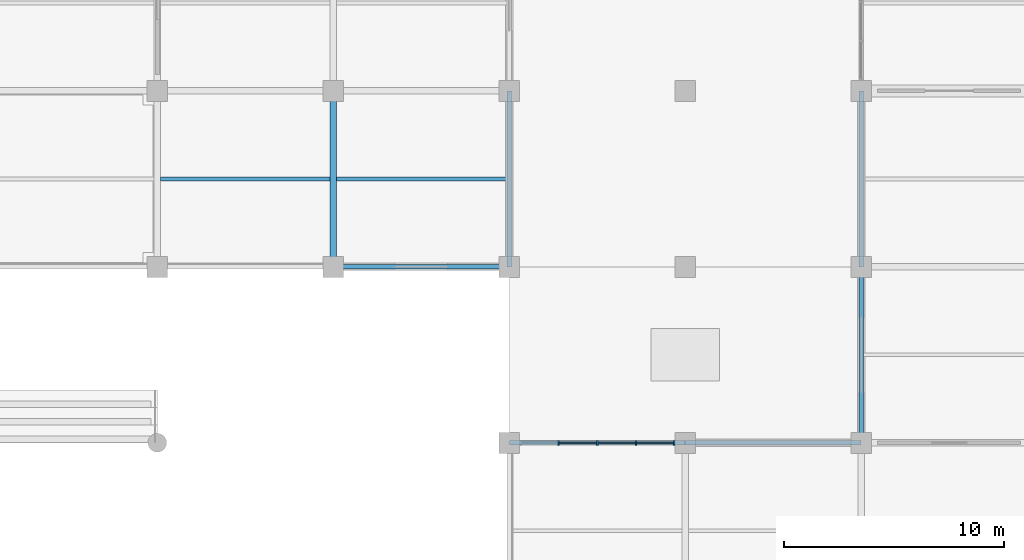
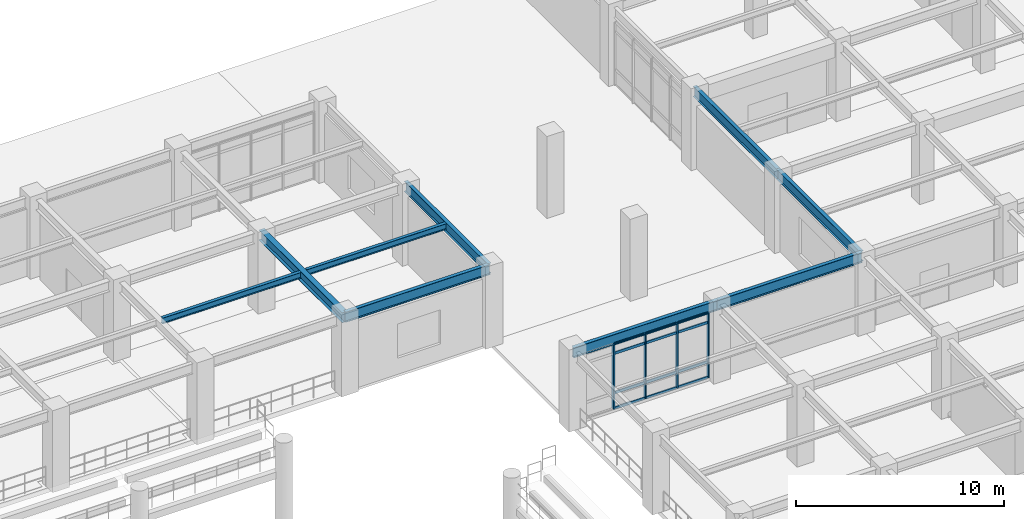
# One storey, part 45 of 109: 16 members, 9 beams, 1 element without a shape of its own.
"""IFC4 building model written with IfcOpenShell, lengths in metres."""

from ifc_helpers import new_model, si_unit, direction, frame, origin, origin_2d, place, context, subcontext, project, spatial, rectangle, i_section, extrude, material, layer, layer_set, material_profile, profile_set, type_object, element, aggregate, save


model = new_model("IFC4")

# Units and contexts
model_context = context("Model", 3, precision=1e-05, world=origin(), true_north=direction((0.0, 1.0)))
body_context = subcontext(model_context, "Body", "Model", "MODEL_VIEW")
ifc_project = project(units=[si_unit("LENGTHUNIT", "METRE"), si_unit("AREAUNIT", "SQUARE_METRE"), si_unit("VOLUMEUNIT", "CUBIC_METRE"), si_unit("PLANEANGLEUNIT", "RADIAN"), si_unit("MASSUNIT", "GRAM", prefix="KILO")], contexts=[model_context])

# Site, building, storey
site_placement = place(None, origin())
site = spatial("IfcSite", under=ifc_project, at=site_placement, CompositionType="ELEMENT")
building_placement = place(site_placement, origin())
building = spatial("IfcBuilding", under=site, at=building_placement, Name="Haebicheon Civic Stadium", CompositionType="ELEMENT")
storey_placement = place(building_placement, frame((0.0, 0.0, 9.60009765625)))
storey = spatial("IfcBuildingStorey", under=building, at=storey_placement, Name="L03", CompositionType="ELEMENT", Elevation=9.60009765625)

# Beam
ifc_material_1 = material(Name="Steel SM355 (S355)", Category="steel")
ifc_material_profile_1 = material_profile(ifc_material_1, i_section(OverallWidth=0.300048828125, OverallDepth=0.60009765625, WebThickness=0.011962890625, FlangeThickness=0.02001953125, at=origin_2d()), Name="H-600x300x12x20")
ifc_profile_set_1 = profile_set([ifc_material_profile_1], Name="Steel SM355 (S355)")
beam_type_1 = type_object("IfcBeamType", Name="BM-ST-H600A", PredefinedType="BEAM", material=ifc_profile_set_1)
beam_1_placement = place(storey_placement, frame((136.0, 152.0, 4.239990234375), z_axis=(0.0, 1.0, 0.0), x_axis=(-1.0, 0.0, 0.0)))
element("IfcBeam", 1, at=beam_1_placement, inside=storey, type_object=beam_type_1, material=ifc_profile_set_1, Name="L03 girder 18/V-W", PredefinedType="BEAM", context=body_context, shape_type="SweptSolid", body=[
    extrude(i_section(OverallWidth=0.300048828125, OverallDepth=0.60009765625, WebThickness=0.011962890625, FlangeThickness=0.02001953125, at=origin_2d()), origin(), (0.0, 0.0, 1.0), 8.0),
])

# Curtain wall, members
ifc_material_2 = material(Name="Anodised aluminium and laminated glass", Category="aluminium")
ifc_layer = layer(ifc_material_2, 0.179931640625, Name="Anodised aluminium and laminated glass")
ifc_layer_set = layer_set([ifc_layer], Name="Anodised aluminium and laminated glass")
curtain_wall_type = type_object("IfcCurtainWallType", Name="CW-7050x3770", PredefinedType="NOTDEFINED", material=ifc_layer_set)
curtain_wall_placement = place(storey_placement, origin())
curtain_wall = element("IfcCurtainWall", 2, at=curtain_wall_placement, inside=storey, type_object=curtain_wall_type, material=ifc_layer_set, Name="L03 unitised curtain wall 084", PredefinedType="NOTDEFINED")
ifc_material_3 = material(Name="Anodised aluminium 6063-T6", Category="aluminium")
ifc_material_profile_2 = material_profile(ifc_material_3, rectangle(XDim=0.070068359375, YDim=0.199951171875, at=origin_2d()), Name="ALU-MULL-70x200")
ifc_profile_set_2 = profile_set([ifc_material_profile_2], Name="Anodised aluminium 6063-T6")
member_type_1 = type_object("IfcMemberType", Name="CWM-200x70", PredefinedType="MULLION", material=ifc_profile_set_2)
member_1_placement = place(storey_placement, frame((146.237060546875, 144.0, 0.159912109375), z_axis=(0.0, 0.0, 1.0), x_axis=(1.0, 0.0, 0.0)))
member_1 = element("IfcMember", 3, at=member_1_placement, type_object=member_type_1, material=ifc_profile_set_2, Name="CW-L03-084 vertical mullion 2", PredefinedType="MULLION", context=body_context, shape_type="SweptSolid", body=[
    extrude(rectangle(XDim=0.070068359375, YDim=0.199951171875, at=origin_2d()), origin(), (0.0, 0.0, 1.0), 3.77001953125),
])
member_2_placement = place(storey_placement, frame((148.0, 144.0, 0.159912109375), z_axis=(0.0, 0.0, 1.0), x_axis=(1.0, 0.0, 0.0)))
member_2 = element("IfcMember", 4, at=member_2_placement, type_object=member_type_1, material=ifc_profile_set_2, Name="CW-L03-084 vertical mullion 3", PredefinedType="MULLION", context=body_context, shape_type="SweptSolid", body=[
    extrude(rectangle(XDim=0.070068359375, YDim=0.199951171875, at=origin_2d()), origin(), (0.0, 0.0, 1.0), 3.77001953125),
])
member_3_placement = place(storey_placement, frame((149.762939453125, 144.0, 0.159912109375), z_axis=(0.0, 0.0, 1.0), x_axis=(1.0, 0.0, 0.0)))
member_3 = element("IfcMember", 5, at=member_3_placement, type_object=member_type_1, material=ifc_profile_set_2, Name="CW-L03-084 vertical mullion 4", PredefinedType="MULLION", context=body_context, shape_type="SweptSolid", body=[
    extrude(rectangle(XDim=0.070068359375, YDim=0.199951171875, at=origin_2d()), origin(), (0.0, 0.0, 1.0), 3.77001953125),
])
member_4_placement = place(storey_placement, frame((151.489990234375, 144.0, 0.159912109375), z_axis=(0.0, 0.0, 1.0), x_axis=(1.0, 0.0, 0.0)))
member_4 = element("IfcMember", 6, at=member_4_placement, type_object=member_type_1, material=ifc_profile_set_2, Name="CW-L03-084 vertical mullion 5", PredefinedType="MULLION", context=body_context, shape_type="SweptSolid", body=[
    extrude(rectangle(XDim=0.070068359375, YDim=0.199951171875, at=origin_2d()), origin(), (0.0, 0.0, 1.0), 3.77001953125),
])
ifc_material_4 = material(Name="Anodised aluminium 6063-T6", Category="aluminium")
ifc_material_profile_3 = material_profile(ifc_material_4, rectangle(XDim=0.070068359375, YDim=0.14990234375, at=origin_2d()), Name="ALU-TRAN-70x150")
ifc_profile_set_3 = profile_set([ifc_material_profile_3], Name="Anodised aluminium 6063-T6")
member_type_2 = type_object("IfcMemberType", Name="CWT-150x70", PredefinedType="NOTDEFINED", material=ifc_profile_set_3)
member_5_placement = place(storey_placement, frame((146.27197265625, 144.0, 0.159912109375), z_axis=(1.0, 0.0, 0.0), x_axis=(0.0, 1.0, 0.0)))
member_5 = element("IfcMember", 7, at=member_5_placement, type_object=member_type_2, material=ifc_profile_set_3, Name="CW-L03-084 horizontal transom 2.1", ObjectType="TRANSOM", PredefinedType="USERDEFINED", context=body_context, shape_type="SweptSolid", body=[
    extrude(rectangle(XDim=0.070068359375, YDim=0.14990234375, at=origin_2d()), origin(), (0.0, 0.0, 1.0), 1.693115234375),
])
member_6_placement = place(storey_placement, frame((146.27197265625, 144.0, 1.059814453125), z_axis=(1.0, 0.0, 0.0), x_axis=(0.0, 1.0, 0.0)))
member_6 = element("IfcMember", 8, at=member_6_placement, type_object=member_type_2, material=ifc_profile_set_3, Name="CW-L03-084 horizontal transom 2.2", ObjectType="TRANSOM", PredefinedType="USERDEFINED", context=body_context, shape_type="SweptSolid", body=[
    extrude(rectangle(XDim=0.070068359375, YDim=0.14990234375, at=origin_2d()), origin(), (0.0, 0.0, 1.0), 1.693115234375),
])
member_7_placement = place(storey_placement, frame((146.27197265625, 144.0, 3.3798828125), z_axis=(1.0, 0.0, 0.0), x_axis=(0.0, 1.0, 0.0)))
member_7 = element("IfcMember", 9, at=member_7_placement, type_object=member_type_2, material=ifc_profile_set_3, Name="CW-L03-084 horizontal transom 2.3", ObjectType="TRANSOM", PredefinedType="USERDEFINED", context=body_context, shape_type="SweptSolid", body=[
    extrude(rectangle(XDim=0.070068359375, YDim=0.14990234375, at=origin_2d()), origin(), (0.0, 0.0, 1.0), 1.693115234375),
])
member_8_placement = place(storey_placement, frame((146.27197265625, 144.0, 3.929931640625), z_axis=(1.0, 0.0, 0.0), x_axis=(0.0, 1.0, 0.0)))
member_8 = element("IfcMember", 10, at=member_8_placement, type_object=member_type_2, material=ifc_profile_set_3, Name="CW-L03-084 horizontal transom 2.4", ObjectType="TRANSOM", PredefinedType="USERDEFINED", context=body_context, shape_type="SweptSolid", body=[
    extrude(rectangle(XDim=0.070068359375, YDim=0.14990234375, at=origin_2d()), origin(), (0.0, 0.0, 1.0), 1.693115234375),
])
member_9_placement = place(storey_placement, frame((148.034912109375, 144.0, 0.159912109375), z_axis=(1.0, 0.0, 0.0), x_axis=(0.0, 1.0, 0.0)))
member_9 = element("IfcMember", 11, at=member_9_placement, type_object=member_type_2, material=ifc_profile_set_3, Name="CW-L03-084 horizontal transom 3.1", ObjectType="TRANSOM", PredefinedType="USERDEFINED", context=body_context, shape_type="SweptSolid", body=[
    extrude(rectangle(XDim=0.070068359375, YDim=0.14990234375, at=origin_2d()), origin(), (0.0, 0.0, 1.0), 1.693115234375),
])
member_10_placement = place(storey_placement, frame((148.034912109375, 144.0, 1.059814453125), z_axis=(1.0, 0.0, 0.0), x_axis=(0.0, 1.0, 0.0)))
member_10 = element("IfcMember", 12, at=member_10_placement, type_object=member_type_2, material=ifc_profile_set_3, Name="CW-L03-084 horizontal transom 3.2", ObjectType="TRANSOM", PredefinedType="USERDEFINED", context=body_context, shape_type="SweptSolid", body=[
    extrude(rectangle(XDim=0.070068359375, YDim=0.14990234375, at=origin_2d()), origin(), (0.0, 0.0, 1.0), 1.693115234375),
])
member_11_placement = place(storey_placement, frame((148.034912109375, 144.0, 3.3798828125), z_axis=(1.0, 0.0, 0.0), x_axis=(0.0, 1.0, 0.0)))
member_11 = element("IfcMember", 13, at=member_11_placement, type_object=member_type_2, material=ifc_profile_set_3, Name="CW-L03-084 horizontal transom 3.3", ObjectType="TRANSOM", PredefinedType="USERDEFINED", context=body_context, shape_type="SweptSolid", body=[
    extrude(rectangle(XDim=0.070068359375, YDim=0.14990234375, at=origin_2d()), origin(), (0.0, 0.0, 1.0), 1.693115234375),
])
member_12_placement = place(storey_placement, frame((148.034912109375, 144.0, 3.929931640625), z_axis=(1.0, 0.0, 0.0), x_axis=(0.0, 1.0, 0.0)))
member_12 = element("IfcMember", 14, at=member_12_placement, type_object=member_type_2, material=ifc_profile_set_3, Name="CW-L03-084 horizontal transom 3.4", ObjectType="TRANSOM", PredefinedType="USERDEFINED", context=body_context, shape_type="SweptSolid", body=[
    extrude(rectangle(XDim=0.070068359375, YDim=0.14990234375, at=origin_2d()), origin(), (0.0, 0.0, 1.0), 1.693115234375),
])
member_13_placement = place(storey_placement, frame((149.798095703125, 144.0, 0.159912109375), z_axis=(1.0, 0.0, 0.0), x_axis=(0.0, 1.0, 0.0)))
member_13 = element("IfcMember", 15, at=member_13_placement, type_object=member_type_2, material=ifc_profile_set_3, Name="CW-L03-084 horizontal transom 4.1", ObjectType="TRANSOM", PredefinedType="USERDEFINED", context=body_context, shape_type="SweptSolid", body=[
    extrude(rectangle(XDim=0.070068359375, YDim=0.14990234375, at=origin_2d()), origin(), (0.0, 0.0, 1.0), 1.656982421875),
])
member_14_placement = place(storey_placement, frame((149.798095703125, 144.0, 1.059814453125), z_axis=(1.0, 0.0, 0.0), x_axis=(0.0, 1.0, 0.0)))
member_14 = element("IfcMember", 16, at=member_14_placement, type_object=member_type_2, material=ifc_profile_set_3, Name="CW-L03-084 horizontal transom 4.2", ObjectType="TRANSOM", PredefinedType="USERDEFINED", context=body_context, shape_type="SweptSolid", body=[
    extrude(rectangle(XDim=0.070068359375, YDim=0.14990234375, at=origin_2d()), origin(), (0.0, 0.0, 1.0), 1.656982421875),
])
member_15_placement = place(storey_placement, frame((149.798095703125, 144.0, 3.3798828125), z_axis=(1.0, 0.0, 0.0), x_axis=(0.0, 1.0, 0.0)))
member_15 = element("IfcMember", 17, at=member_15_placement, type_object=member_type_2, material=ifc_profile_set_3, Name="CW-L03-084 horizontal transom 4.3", ObjectType="TRANSOM", PredefinedType="USERDEFINED", context=body_context, shape_type="SweptSolid", body=[
    extrude(rectangle(XDim=0.070068359375, YDim=0.14990234375, at=origin_2d()), origin(), (0.0, 0.0, 1.0), 1.656982421875),
])
member_16_placement = place(storey_placement, frame((149.798095703125, 144.0, 3.929931640625), z_axis=(1.0, 0.0, 0.0), x_axis=(0.0, 1.0, 0.0)))
member_16 = element("IfcMember", 18, at=member_16_placement, type_object=member_type_2, material=ifc_profile_set_3, Name="CW-L03-084 horizontal transom 4.4", ObjectType="TRANSOM", PredefinedType="USERDEFINED", context=body_context, shape_type="SweptSolid", body=[
    extrude(rectangle(XDim=0.070068359375, YDim=0.14990234375, at=origin_2d()), origin(), (0.0, 0.0, 1.0), 1.656982421875),
])
aggregate(curtain_wall, [member_1, member_2, member_3, member_4, member_5, member_6, member_7, member_8, member_9, member_10, member_11, member_12, member_13, member_14, member_15, member_16])

# Beams
ifc_material_5 = material(Name="Steel SM355 (S355)", Category="steel")
ifc_material_profile_4 = material_profile(ifc_material_5, i_section(OverallWidth=0.175048828125, OverallDepth=0.35009765625, WebThickness=0.007080078125, FlangeThickness=0.010986328125, at=origin_2d()), Name="H-350x175x7x11")
ifc_profile_set_4 = profile_set([ifc_material_profile_4], Name="Steel SM355 (S355)")
beam_type_2 = type_object("IfcBeamType", Name="JST-ST-H350", PredefinedType="JOIST", material=ifc_profile_set_4)
beam_2_placement = place(storey_placement, frame((128.14990234375, 156.0, 4.364990234375), z_axis=(1.0, 0.0, 0.0), x_axis=(0.0, 1.0, 0.0)))
element("IfcBeam", 19, at=beam_2_placement, inside=storey, type_object=beam_type_2, material=ifc_profile_set_4, Name="L03 secondary joist 16-19", PredefinedType="JOIST", context=body_context, shape_type="SweptSolid", body=[
    extrude(i_section(OverallWidth=0.175048828125, OverallDepth=0.35009765625, WebThickness=0.007080078125, FlangeThickness=0.010986328125, at=origin_2d()), origin(), (0.0, 0.0, 1.0), 7.7001953125),
])
beam_3_placement = place(storey_placement, frame((136.14990234375, 156.0, 4.40478515625), z_axis=(1.0, 0.0, 0.0), x_axis=(0.0, 1.0, 0.0)))
element("IfcBeam", 20, at=beam_3_placement, inside=storey, type_object=beam_type_2, material=ifc_profile_set_4, Name="L03 secondary joist 17-19", PredefinedType="JOIST", context=body_context, shape_type="SweptSolid", body=[
    extrude(i_section(OverallWidth=0.175048828125, OverallDepth=0.35009765625, WebThickness=0.007080078125, FlangeThickness=0.010986328125, at=origin_2d()), origin(), (0.0, 0.0, 1.0), 7.75),
])
ifc_material_6 = material(Name="Steel SM355 (S355)", Category="steel")
ifc_material_profile_5 = material_profile(ifc_material_6, i_section(OverallWidth=0.199951171875, OverallDepth=0.60009765625, WebThickness=0.010986328125, FlangeThickness=0.01708984375, at=origin_2d()), Name="H-600x200x11x17")
ifc_profile_set_5 = profile_set([ifc_material_profile_5], Name="Steel SM355 (S355)")
beam_type_3 = type_object("IfcBeamType", Name="SPD-ST-H600B", PredefinedType="SPANDREL", material=ifc_profile_set_5)
for number, where, z_axis, x_axis, name in (
    (21, (144.0, 152.0, 4.27978515625), (0.0, 1.0, 0.0), (-1.0, 0.0, 0.0), "L03 girder 19/V-W"),
    (22, (160.0, 144.0, 4.239990234375), (0.0, 1.0, 0.0), (-1.0, 0.0, 0.0), "L03 girder 21/U-V"),
    (23, (160.0, 152.0, 4.239990234375), (0.0, 1.0, 0.0), (-1.0, 0.0, 0.0), "L03 girder 21/V-W"),
    (24, (136.0, 152.0, 4.27978515625), (1.0, 0.0, 0.0), (0.0, 1.0, 0.0), "L03 beam V/18-19"),
    (25, (144.0, 144.0, 4.239990234375), (1.0, 0.0, 0.0), (0.0, 1.0, 0.0), "L03 beam U/19-20"),
    (26, (152.0, 144.0, 4.239990234375), (1.0, 0.0, 0.0), (0.0, 1.0, 0.0), "L03 beam U/20-21"),
):
    element("IfcBeam", number, at=place(storey_placement, frame(where, z_axis=z_axis, x_axis=x_axis)), inside=storey, type_object=beam_type_3, material=ifc_profile_set_5, Name=name, PredefinedType="SPANDREL", context=body_context, shape_type="SweptSolid", body=[
        extrude(i_section(OverallWidth=0.199951171875, OverallDepth=0.60009765625, WebThickness=0.010986328125, FlangeThickness=0.01708984375, at=origin_2d()), origin(), (0.0, 0.0, 1.0), 8.0),
    ])

save(model, "model.ifc")
